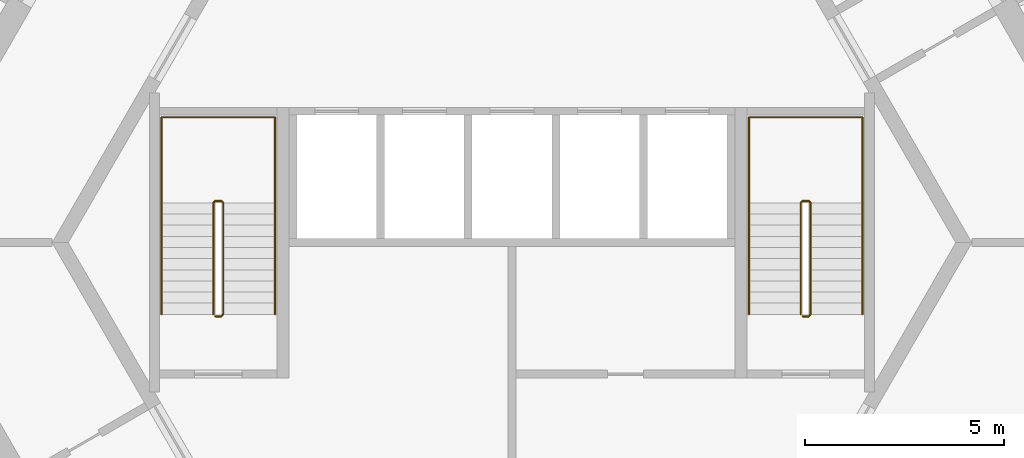
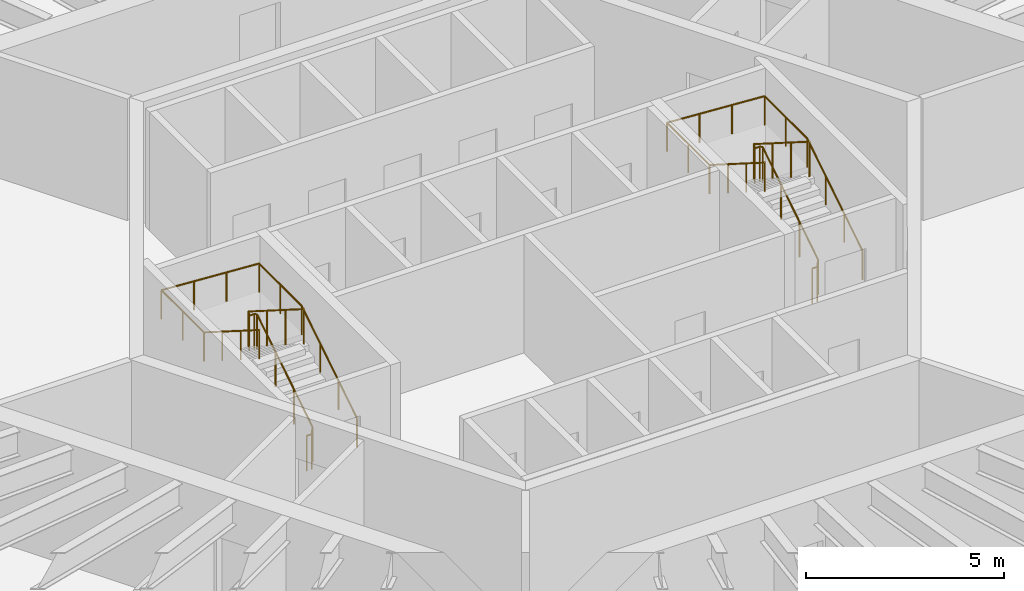
# One storey, part 12 of 12: 4 railings.
"""IFC4 building model written with IfcOpenShell, lengths in metres."""

from ifc_helpers import new_model, si_unit, direction, frame, origin, origin_2d, place, context, subcontext, project, spatial, circle, extrude, material, type_object, element, save


model = new_model("IFC4")

# Units and contexts
model_context = context("Model", 3, precision=1e-05, world=origin(), true_north=direction((0.0, 1.0)))
body_context = subcontext(model_context, "Body", "Model", "MODEL_VIEW")
ifc_project = project(units=[si_unit("LENGTHUNIT", "METRE"), si_unit("AREAUNIT", "SQUARE_METRE"), si_unit("VOLUMEUNIT", "CUBIC_METRE"), si_unit("PLANEANGLEUNIT", "RADIAN"), si_unit("MASSUNIT", "GRAM", prefix="KILO")], contexts=[model_context])

# Site, building, storey
site_placement = place(None, origin())
site = spatial("IfcSite", under=ifc_project, at=site_placement, CompositionType="ELEMENT")
building_placement = place(site_placement, origin())
building = spatial("IfcBuilding", under=site, at=building_placement, Name="Tarnside Tower", CompositionType="ELEMENT")
storey_placement = place(building_placement, frame((0.0, 0.0, 57.0)))
storey = spatial("IfcBuildingStorey", under=building, at=storey_placement, Name="L11", CompositionType="ELEMENT", Elevation=57.0)

# Railings
ifc_material = material(Name="Stainless steel", Category="steel")
railing_type_1 = type_object("IfcRailingType", Name="Stair guard 1100", PredefinedType="GUARDRAIL", material=ifc_material)
railing_1_placement = place(storey_placement, frame((7.300048828125, -1.85009765625, 0.0)))
element("IfcRailing", 1, at=railing_1_placement, inside=storey, type_object=railing_type_1, Name="L11 ST1 stair guard 1", PredefinedType="GUARDRAIL", context=body_context, shape_type="SweptSolid", body=[
    extrude(circle(Radius=0.02392578125, at=origin_2d()), frame((0.0, 0.0, 1.076171875), z_axis=(1.0, 0.0, 0.0), x_axis=(0.0, 1.0, 0.0)), (0.0, 0.0, 1.0), 0.14990234375),
    extrude(circle(Radius=0.02392578125, at=origin_2d()), frame((0.14990234375, 0.0, 1.076171875), z_axis=(0.262233686654, 0.262233686654, 0.928691007369), x_axis=(-0.707106781187, 0.707106781187, 0.0)), (0.0, 0.0, 1.0), 0.19091796875),
    extrude(circle(Radius=0.02392578125, at=origin_2d()), frame((0.199951171875, 0.050048828125, 1.25341796875), z_axis=(0.0, 0.844908973607, 0.534910110503), x_axis=(-1.0, 0.0, 0.0)), (0.0, 0.0, 1.0), 3.31396484375),
    extrude(circle(Radius=0.02392578125, at=origin_2d()), frame((0.199951171875, 2.85009765625, 3.02587890625), z_axis=(-0.707106781187, 0.707106781187, 0.0), x_axis=(-0.707106781187, -0.707106781187, 0.0)), (0.0, 0.0, 1.0), 0.07080078125),
    extrude(circle(Radius=0.02392578125, at=origin_2d()), frame((0.14990234375, 2.900146484375, 3.02587890625), z_axis=(-1.0, 0.0, 0.0), x_axis=(0.0, -1.0, 0.0)), (0.0, 0.0, 1.0), 0.14990234375),
    extrude(circle(Radius=0.02392578125, at=origin_2d()), frame((0.0, 2.900146484375, 3.02587890625), z_axis=(-0.262233686654, -0.262233686654, 0.928691007369), x_axis=(0.707106781187, -0.707106781187, 0.0)), (0.0, 0.0, 1.0), 0.19091796875),
    extrude(circle(Radius=0.02392578125, at=origin_2d()), frame((-0.050048828125, 2.85009765625, 3.203125), z_axis=(0.0, -0.844908973607, 0.534910110503), x_axis=(1.0, 0.0, 0.0)), (0.0, 0.0, 1.0), 3.31396484375),
    extrude(circle(Radius=0.02099609375, at=origin_2d()), origin(), (0.0, 0.0, 1.0), 1.052001953125),
    extrude(circle(Radius=0.02099609375, at=origin_2d()), frame((0.14990234375, 0.0, 0.0)), (0.0, 0.0, 1.0), 1.052001953125),
    extrude(circle(Radius=0.02099609375, at=origin_2d()), frame((0.199951171875, 0.050048828125, 0.17724609375)), (0.0, 0.0, 1.0), 1.052001953125),
    extrude(circle(Radius=0.02099609375, at=origin_2d()), frame((0.199951171875, 0.9833984375, 0.76806640625)), (0.0, 0.0, 1.0), 1.052001953125),
    extrude(circle(Radius=0.02099609375, at=origin_2d()), frame((0.199951171875, 1.916748046875, 1.359130859375)), (0.0, 0.0, 1.0), 1.052001953125),
    extrude(circle(Radius=0.02099609375, at=origin_2d()), frame((0.199951171875, 2.85009765625, 1.949951171875)), (0.0, 0.0, 1.0), 1.052001953125),
    extrude(circle(Radius=0.02099609375, at=origin_2d()), frame((0.14990234375, 2.900146484375, 1.949951171875)), (0.0, 0.0, 1.0), 1.052001953125),
    extrude(circle(Radius=0.02099609375, at=origin_2d()), frame((0.0, 2.900146484375, 1.949951171875)), (0.0, 0.0, 1.0), 1.052001953125),
    extrude(circle(Radius=0.02099609375, at=origin_2d()), frame((-0.050048828125, 2.85009765625, 2.127197265625)), (0.0, 0.0, 1.0), 1.052001953125),
    extrude(circle(Radius=0.02099609375, at=origin_2d()), frame((-0.050048828125, 1.916748046875, 2.718017578125)), (0.0, 0.0, 1.0), 1.052001953125),
    extrude(circle(Radius=0.02099609375, at=origin_2d()), frame((-0.050048828125, 0.9833984375, 3.30908203125)), (0.0, 0.0, 1.0), 1.052001953125),
    extrude(circle(Radius=0.02099609375, at=origin_2d()), frame((-0.050048828125, 0.050048828125, 3.89990234375)), (0.0, 0.0, 1.0), 1.052001953125),
])
railing_2_placement = place(storey_placement, frame((-7.449951171875, -1.85009765625, 0.0)))
element("IfcRailing", 2, at=railing_2_placement, inside=storey, type_object=railing_type_1, Name="L11 ST2 stair guard 1", PredefinedType="GUARDRAIL", context=body_context, shape_type="SweptSolid", body=[
    extrude(circle(Radius=0.02392578125, at=origin_2d()), frame((0.0, 0.0, 1.076171875), z_axis=(1.0, 0.0, 0.0), x_axis=(0.0, 1.0, 0.0)), (0.0, 0.0, 1.0), 0.14990234375),
    extrude(circle(Radius=0.02392578125, at=origin_2d()), frame((0.14990234375, 0.0, 1.076171875), z_axis=(0.262233686654, 0.262233686654, 0.928691007369), x_axis=(-0.707106781187, 0.707106781187, 0.0)), (0.0, 0.0, 1.0), 0.19091796875),
    extrude(circle(Radius=0.02392578125, at=origin_2d()), frame((0.199951171875, 0.050048828125, 1.25341796875), z_axis=(0.0, 0.844908973607, 0.534910110503), x_axis=(-1.0, 0.0, 0.0)), (0.0, 0.0, 1.0), 3.31396484375),
    extrude(circle(Radius=0.02392578125, at=origin_2d()), frame((0.199951171875, 2.85009765625, 3.02587890625), z_axis=(-0.707106781187, 0.707106781187, 0.0), x_axis=(-0.707106781187, -0.707106781187, 0.0)), (0.0, 0.0, 1.0), 0.07080078125),
    extrude(circle(Radius=0.02392578125, at=origin_2d()), frame((0.14990234375, 2.900146484375, 3.02587890625), z_axis=(-1.0, 0.0, 0.0), x_axis=(0.0, -1.0, 0.0)), (0.0, 0.0, 1.0), 0.14990234375),
    extrude(circle(Radius=0.02392578125, at=origin_2d()), frame((0.0, 2.900146484375, 3.02587890625), z_axis=(-0.262233686654, -0.262233686654, 0.928691007369), x_axis=(0.707106781187, -0.707106781187, 0.0)), (0.0, 0.0, 1.0), 0.19091796875),
    extrude(circle(Radius=0.02392578125, at=origin_2d()), frame((-0.050048828125, 2.85009765625, 3.203125), z_axis=(0.0, -0.844908973607, 0.534910110503), x_axis=(1.0, 0.0, 0.0)), (0.0, 0.0, 1.0), 3.31396484375),
    extrude(circle(Radius=0.02099609375, at=origin_2d()), origin(), (0.0, 0.0, 1.0), 1.052001953125),
    extrude(circle(Radius=0.02099609375, at=origin_2d()), frame((0.14990234375, 0.0, 0.0)), (0.0, 0.0, 1.0), 1.052001953125),
    extrude(circle(Radius=0.02099609375, at=origin_2d()), frame((0.199951171875, 0.050048828125, 0.17724609375)), (0.0, 0.0, 1.0), 1.052001953125),
    extrude(circle(Radius=0.02099609375, at=origin_2d()), frame((0.199951171875, 0.9833984375, 0.76806640625)), (0.0, 0.0, 1.0), 1.052001953125),
    extrude(circle(Radius=0.02099609375, at=origin_2d()), frame((0.199951171875, 1.916748046875, 1.359130859375)), (0.0, 0.0, 1.0), 1.052001953125),
    extrude(circle(Radius=0.02099609375, at=origin_2d()), frame((0.199951171875, 2.85009765625, 1.949951171875)), (0.0, 0.0, 1.0), 1.052001953125),
    extrude(circle(Radius=0.02099609375, at=origin_2d()), frame((0.14990234375, 2.900146484375, 1.949951171875)), (0.0, 0.0, 1.0), 1.052001953125),
    extrude(circle(Radius=0.02099609375, at=origin_2d()), frame((0.0, 2.900146484375, 1.949951171875)), (0.0, 0.0, 1.0), 1.052001953125),
    extrude(circle(Radius=0.02099609375, at=origin_2d()), frame((-0.050048828125, 2.85009765625, 2.127197265625)), (0.0, 0.0, 1.0), 1.052001953125),
    extrude(circle(Radius=0.02099609375, at=origin_2d()), frame((-0.050048828125, 1.916748046875, 2.718017578125)), (0.0, 0.0, 1.0), 1.052001953125),
    extrude(circle(Radius=0.02099609375, at=origin_2d()), frame((-0.050048828125, 0.9833984375, 3.30908203125)), (0.0, 0.0, 1.0), 1.052001953125),
    extrude(circle(Radius=0.02099609375, at=origin_2d()), frame((-0.050048828125, 0.050048828125, 3.89990234375)), (0.0, 0.0, 1.0), 1.052001953125),
])
railing_type_2 = type_object("IfcRailingType", Name="Stair handrail 900", PredefinedType="HANDRAIL", material=ifc_material)
railing_3_placement = place(storey_placement, frame((8.800048828125, -1.800048828125, 0.17724609375)))
element("IfcRailing", 3, at=railing_3_placement, inside=storey, type_object=railing_type_2, Name="L11 ST1 stair handrail 1", PredefinedType="HANDRAIL", context=body_context, shape_type="SweptSolid", body=[
    extrude(circle(Radius=0.02392578125, at=origin_2d()), frame((0.0, 0.0, 0.8857421875), z_axis=(0.0, 0.844908973607, 0.534910110503), x_axis=(-1.0, 0.0, 0.0)), (0.0, 0.0, 1.0), 3.31396484375),
    extrude(circle(Radius=0.02392578125, at=origin_2d()), frame((0.0, 2.800048828125, 2.65869140625), z_axis=(0.0, 1.0, 0.0), x_axis=(-1.0, 0.0, 0.0)), (0.0, 0.0, 1.0), 2.14990234375),
    extrude(circle(Radius=0.02392578125, at=origin_2d()), frame((0.0, 4.949951171875, 2.65869140625), z_axis=(-0.998071825391, 0.0, 0.06206956872), x_axis=(0.0, -1.0, 0.0)), (0.0, 0.0, 1.0), 2.855712890625),
    extrude(circle(Radius=0.02392578125, at=origin_2d()), frame((-2.85009765625, 4.949951171875, 2.8359375), z_axis=(0.0, -1.0, 0.0), x_axis=(1.0, 0.0, 0.0)), (0.0, 0.0, 1.0), 2.14990234375),
    extrude(circle(Radius=0.02392578125, at=origin_2d()), frame((-2.85009765625, 2.800048828125, 2.8359375), z_axis=(0.0, -0.844908973607, 0.534910110503), x_axis=(1.0, 0.0, 0.0)), (0.0, 0.0, 1.0), 3.31396484375),
    extrude(circle(Radius=0.02099609375, at=origin_2d()), origin(), (0.0, 0.0, 1.0), 0.86181640625),
    extrude(circle(Radius=0.02099609375, at=origin_2d()), frame((0.0, 0.933349609375, 0.5908203125)), (0.0, 0.0, 1.0), 0.86181640625),
    extrude(circle(Radius=0.02099609375, at=origin_2d()), frame((0.0, 1.86669921875, 1.181884765625)), (0.0, 0.0, 1.0), 0.86181640625),
    extrude(circle(Radius=0.02099609375, at=origin_2d()), frame((0.0, 2.800048828125, 1.772705078125)), (0.0, 0.0, 1.0), 0.86181640625),
    extrude(circle(Radius=0.02099609375, at=origin_2d()), frame((0.0, 3.875, 1.772705078125)), (0.0, 0.0, 1.0), 0.86181640625),
    extrude(circle(Radius=0.02099609375, at=origin_2d()), frame((0.0, 4.949951171875, 1.772705078125)), (0.0, 0.0, 1.0), 0.86181640625),
    extrude(circle(Radius=0.02099609375, at=origin_2d()), frame((-0.949951171875, 4.949951171875, 1.831787109375)), (0.0, 0.0, 1.0), 0.86181640625),
    extrude(circle(Radius=0.02099609375, at=origin_2d()), frame((-1.900146484375, 4.949951171875, 1.890869140625)), (0.0, 0.0, 1.0), 0.86181640625),
    extrude(circle(Radius=0.02099609375, at=origin_2d()), frame((-2.85009765625, 4.949951171875, 1.949951171875)), (0.0, 0.0, 1.0), 0.86181640625),
    extrude(circle(Radius=0.02099609375, at=origin_2d()), frame((-2.85009765625, 3.875, 1.949951171875)), (0.0, 0.0, 1.0), 0.86181640625),
    extrude(circle(Radius=0.02099609375, at=origin_2d()), frame((-2.85009765625, 2.800048828125, 1.949951171875)), (0.0, 0.0, 1.0), 0.86181640625),
    extrude(circle(Radius=0.02099609375, at=origin_2d()), frame((-2.85009765625, 1.86669921875, 2.540771484375)), (0.0, 0.0, 1.0), 0.86181640625),
    extrude(circle(Radius=0.02099609375, at=origin_2d()), frame((-2.85009765625, 0.933349609375, 3.1318359375)), (0.0, 0.0, 1.0), 0.86181640625),
    extrude(circle(Radius=0.02099609375, at=origin_2d()), frame((-2.85009765625, 0.0, 3.72265625)), (0.0, 0.0, 1.0), 0.86181640625),
])
railing_4_placement = place(storey_placement, frame((-5.949951171875, -1.800048828125, 0.17724609375)))
element("IfcRailing", 4, at=railing_4_placement, inside=storey, type_object=railing_type_2, Name="L11 ST2 stair handrail 1", PredefinedType="HANDRAIL", context=body_context, shape_type="SweptSolid", body=[
    extrude(circle(Radius=0.02392578125, at=origin_2d()), frame((0.0, 0.0, 0.8857421875), z_axis=(0.0, 0.844908973607, 0.534910110503), x_axis=(-1.0, 0.0, 0.0)), (0.0, 0.0, 1.0), 3.31396484375),
    extrude(circle(Radius=0.02392578125, at=origin_2d()), frame((0.0, 2.800048828125, 2.65869140625), z_axis=(0.0, 1.0, 0.0), x_axis=(-1.0, 0.0, 0.0)), (0.0, 0.0, 1.0), 2.14990234375),
    extrude(circle(Radius=0.02392578125, at=origin_2d()), frame((0.0, 4.949951171875, 2.65869140625), z_axis=(-0.998071825391, 0.0, 0.06206956872), x_axis=(0.0, -1.0, 0.0)), (0.0, 0.0, 1.0), 2.855712890625),
    extrude(circle(Radius=0.02392578125, at=origin_2d()), frame((-2.85009765625, 4.949951171875, 2.8359375), z_axis=(0.0, -1.0, 0.0), x_axis=(1.0, 0.0, 0.0)), (0.0, 0.0, 1.0), 2.14990234375),
    extrude(circle(Radius=0.02392578125, at=origin_2d()), frame((-2.85009765625, 2.800048828125, 2.8359375), z_axis=(0.0, -0.844908973607, 0.534910110503), x_axis=(1.0, 0.0, 0.0)), (0.0, 0.0, 1.0), 3.31396484375),
    extrude(circle(Radius=0.02099609375, at=origin_2d()), origin(), (0.0, 0.0, 1.0), 0.86181640625),
    extrude(circle(Radius=0.02099609375, at=origin_2d()), frame((0.0, 0.933349609375, 0.5908203125)), (0.0, 0.0, 1.0), 0.86181640625),
    extrude(circle(Radius=0.02099609375, at=origin_2d()), frame((0.0, 1.86669921875, 1.181884765625)), (0.0, 0.0, 1.0), 0.86181640625),
    extrude(circle(Radius=0.02099609375, at=origin_2d()), frame((0.0, 2.800048828125, 1.772705078125)), (0.0, 0.0, 1.0), 0.86181640625),
    extrude(circle(Radius=0.02099609375, at=origin_2d()), frame((0.0, 3.875, 1.772705078125)), (0.0, 0.0, 1.0), 0.86181640625),
    extrude(circle(Radius=0.02099609375, at=origin_2d()), frame((0.0, 4.949951171875, 1.772705078125)), (0.0, 0.0, 1.0), 0.86181640625),
    extrude(circle(Radius=0.02099609375, at=origin_2d()), frame((-0.949951171875, 4.949951171875, 1.831787109375)), (0.0, 0.0, 1.0), 0.86181640625),
    extrude(circle(Radius=0.02099609375, at=origin_2d()), frame((-1.900146484375, 4.949951171875, 1.890869140625)), (0.0, 0.0, 1.0), 0.86181640625),
    extrude(circle(Radius=0.02099609375, at=origin_2d()), frame((-2.85009765625, 4.949951171875, 1.949951171875)), (0.0, 0.0, 1.0), 0.86181640625),
    extrude(circle(Radius=0.02099609375, at=origin_2d()), frame((-2.85009765625, 3.875, 1.949951171875)), (0.0, 0.0, 1.0), 0.86181640625),
    extrude(circle(Radius=0.02099609375, at=origin_2d()), frame((-2.85009765625, 2.800048828125, 1.949951171875)), (0.0, 0.0, 1.0), 0.86181640625),
    extrude(circle(Radius=0.02099609375, at=origin_2d()), frame((-2.85009765625, 1.86669921875, 2.540771484375)), (0.0, 0.0, 1.0), 0.86181640625),
    extrude(circle(Radius=0.02099609375, at=origin_2d()), frame((-2.85009765625, 0.933349609375, 3.1318359375)), (0.0, 0.0, 1.0), 0.86181640625),
    extrude(circle(Radius=0.02099609375, at=origin_2d()), frame((-2.85009765625, 0.0, 3.72265625)), (0.0, 0.0, 1.0), 0.86181640625),
])

save(model, "model.ifc")
